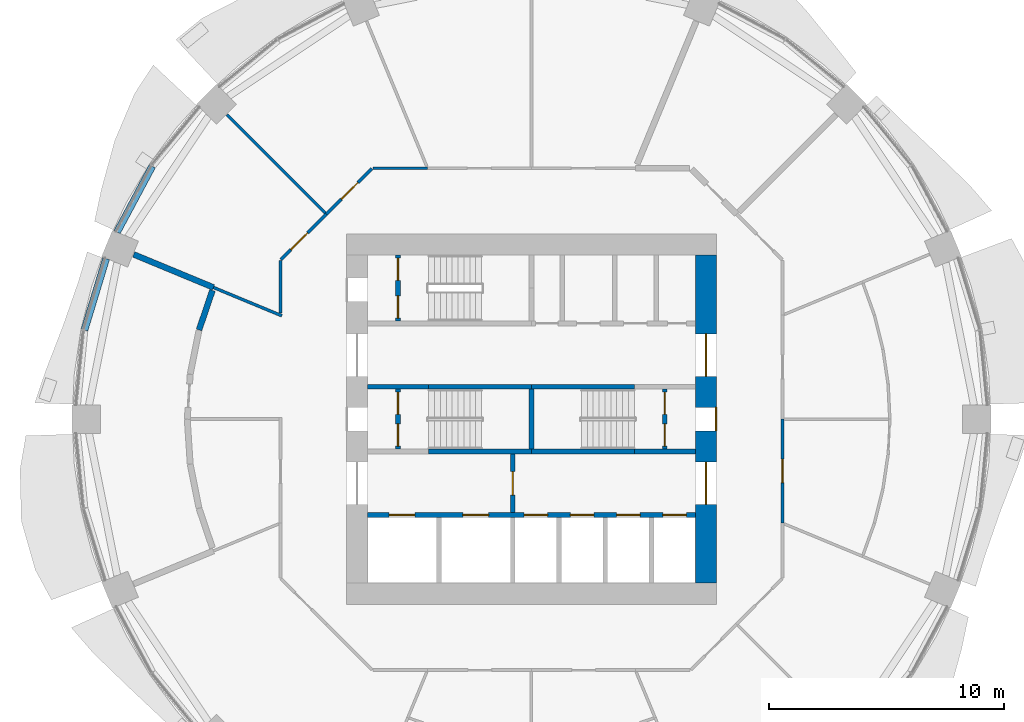
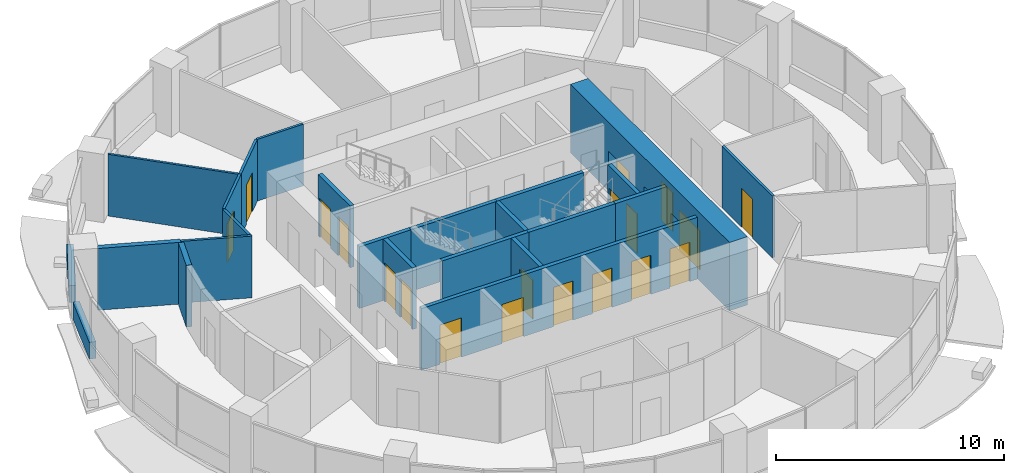
# One storey, part 9 of 15: 24 walls, 19 doors, 19 openings.
"""IFC4 building model written with IfcOpenShell, lengths in metres."""

from ifc_helpers import new_model, si_unit, direction, frame, frame_2d, origin, place, context, subcontext, project, spatial, rectangle, extrude, material, layer, layer_set, type_object, element, fill, save


model = new_model("IFC4")

# Units and contexts
model_context = context("Model", 3, precision=1e-05, world=origin(), true_north=direction((0.0, 1.0)))
body_context = subcontext(model_context, "Body", "Model", "MODEL_VIEW")
ifc_project = project(units=[si_unit("LENGTHUNIT", "METRE"), si_unit("AREAUNIT", "SQUARE_METRE"), si_unit("VOLUMEUNIT", "CUBIC_METRE"), si_unit("PLANEANGLEUNIT", "RADIAN"), si_unit("MASSUNIT", "GRAM", prefix="KILO")], contexts=[model_context])

# Site, building, storey
site_placement = place(None, origin())
site = spatial("IfcSite", under=ifc_project, at=site_placement, CompositionType="ELEMENT")
building_placement = place(site_placement, origin())
building = spatial("IfcBuilding", under=site, at=building_placement, Name="Polderwave Tower", CompositionType="ELEMENT")
storey_placement = place(building_placement, frame((0.0, 0.0, 59.050048828125)))
storey = spatial("IfcBuildingStorey", under=building, at=storey_placement, Name="L15", CompositionType="ELEMENT", Elevation=59.050048828125)

# Wall, openings, doors
ifc_material_1 = material(Name="Concrete C80/95", Category="concrete")
ifc_layer_1 = layer(ifc_material_1, 0.89990234375)
ifc_layer_set_1 = layer_set([ifc_layer_1], Name="CORE WALL 900 C80/95")
wall_type_1 = type_object("IfcWallType", Name="CORE WALL 900 C80/95", PredefinedType="SHEAR", material=ifc_layer_set_1)
wall_1_placement = place(storey_placement, frame((7.424072265625, -6.97412109375, 0.0), z_axis=(0.0, 0.0, 1.0), x_axis=(0.0, 1.0, 0.0)))
wall_1 = element("IfcWall", 1, at=wall_1_placement, inside=storey, type_object=wall_type_1, Name="ST-CORE-L15-E", PredefinedType="SHEAR", context=body_context, shape_type="SweptSolid", body=[
    extrude(rectangle(XDim=13.9482421875, YDim=0.89990234375, at=frame_2d((6.97412109375, 0.0))), origin(), (0.0, 0.0, 1.0), 3.64990234375),
])
opening_1_placement = place(wall_1_placement, frame((6.47412109375, 0.0, 0.0)))
opening_1 = element("IfcOpeningElement", 2, at=opening_1_placement, cuts=wall_1, Name="Opening L15-D22", PredefinedType="OPENING", context=body_context, shape_type="SweptSolid", body=[
    extrude(rectangle(XDim=1.0, YDim=2.10009765625, at=frame_2d((0.5, 1.050048828125))), frame((0.0, 0.4599609375, 0.0), z_axis=(0.0, -1.0, 0.0), x_axis=(1.0, 0.0, 0.0)), (0.0, 0.0, 1.0), 0.919921875),
])
opening_2_placement = place(wall_1_placement, frame((3.349609375, 0.0, 0.0)))
opening_2 = element("IfcOpeningElement", 3, at=opening_2_placement, cuts=wall_1, Name="Opening L15-D23", PredefinedType="OPENING", context=body_context, shape_type="SweptSolid", body=[
    extrude(rectangle(XDim=1.800048828125, YDim=2.10009765625, at=frame_2d((0.89990234375, 1.050048828125))), frame((0.0, 0.4599609375, 0.0), z_axis=(0.0, -1.0, 0.0), x_axis=(1.0, 0.0, 0.0)), (0.0, 0.0, 1.0), 0.919921875),
])
opening_3_placement = place(wall_1_placement, frame((8.798583984375, 0.0, 0.0)))
opening_3 = element("IfcOpeningElement", 4, at=opening_3_placement, cuts=wall_1, Name="Opening L15-D24", PredefinedType="OPENING", context=body_context, shape_type="SweptSolid", body=[
    extrude(rectangle(XDim=1.800048828125, YDim=2.10009765625, at=frame_2d((0.89990234375, 1.050048828125))), frame((0.0, 0.4599609375, 0.0), z_axis=(0.0, -1.0, 0.0), x_axis=(1.0, 0.0, 0.0)), (0.0, 0.0, 1.0), 0.919921875),
])
ifc_material_2 = material(Name="Steel fire door", Category="steel")
door_type_1 = type_object("IfcDoorType", Name="Lobby entry door pair 1800", OperationType="DOUBLE_DOOR_SINGLE_SWING", PredefinedType="DOOR", material=ifc_material_2)
door_1_placement = place(opening_2_placement, frame((1.800048828125, 0.0, 0.0), z_axis=(0.0, 0.0, 1.0), x_axis=(-1.0, 0.0, 0.0)))
door_1 = element("IfcDoor", 5, at=door_1_placement, inside=storey, type_object=door_type_1, Name="South lobby entry door", OperationType="DOUBLE_DOOR_SINGLE_SWING", OverallHeight=2.10009765625, OverallWidth=1.800048828125, PredefinedType="DOOR", context=body_context, shape_type="SweptSolid", body=[
    extrude(rectangle(XDim=1.800048828125, YDim=2.10009765625, at=frame_2d((0.89990234375, 1.050048828125))), frame((0.0, 0.02490234375, 0.0), z_axis=(0.0, -1.0, 0.0), x_axis=(1.0, 0.0, 0.0)), (0.0, 0.0, 1.0), 0.050048828125),
])
fill(opening_2, door_1)
door_2_placement = place(opening_3_placement, frame((1.800048828125, 0.0, 0.0), z_axis=(0.0, 0.0, 1.0), x_axis=(-1.0, 0.0, 0.0)))
door_2 = element("IfcDoor", 6, at=door_2_placement, inside=storey, type_object=door_type_1, Name="North lobby entry door", OperationType="DOUBLE_DOOR_SINGLE_SWING", OverallHeight=2.10009765625, OverallWidth=1.800048828125, PredefinedType="DOOR", context=body_context, shape_type="SweptSolid", body=[
    extrude(rectangle(XDim=1.800048828125, YDim=2.10009765625, at=frame_2d((0.89990234375, 1.050048828125))), frame((0.0, 0.02490234375, 0.0), z_axis=(0.0, -1.0, 0.0), x_axis=(1.0, 0.0, 0.0)), (0.0, 0.0, 1.0), 0.050048828125),
])
fill(opening_3, door_2)
door_type_2 = type_object("IfcDoorType", Name="Stair door 1000", OperationType="NOTDEFINED", PredefinedType="DOOR", material=ifc_material_2)
door_3_placement = place(opening_1_placement, frame((1.0, 0.0, 0.0), z_axis=(0.0, 0.0, 1.0), x_axis=(-1.0, 0.0, 0.0)))
door_3 = element("IfcDoor", 7, at=door_3_placement, inside=storey, type_object=door_type_2, Name="Stair B entry door", OperationType="SINGLE_SWING_LEFT", OverallHeight=2.10009765625, OverallWidth=1.0, PredefinedType="DOOR", context=body_context, shape_type="SweptSolid", body=[
    extrude(rectangle(XDim=1.0, YDim=2.10009765625, at=frame_2d((0.5, 1.050048828125))), frame((0.0, 0.4501953125, 0.0), z_axis=(0.0, -1.0, 0.0), x_axis=(1.0, 0.0, 0.0)), (0.0, 0.0, 1.0), 0.050048828125),
])
fill(opening_1, door_3)

# Walls
ifc_material_3 = material(Name="Concrete C50/60 (board-marked)", Category="concrete")
ifc_layer_2 = layer(ifc_material_3, 0.300048828125)
ifc_layer_set_2 = layer_set([ifc_layer_2], Name="Concrete spandrel upstand C50/60")
wall_type_2 = type_object("IfcWallType", Name="Concrete spandrel upstand C50/60", PredefinedType="SOLIDWALL", material=ifc_layer_set_2)
wall_2_placement = place(storey_placement, frame((-16.129150390625, 10.7587890625, 0.0), z_axis=(0.0, 0.0, 1.0), x_axis=(-0.47123575379, -0.882007292685, 0.0)))
element("IfcWall", 8, at=wall_2_placement, inside=storey, type_object=wall_type_2, Name="Spandrel L15 7b", PredefinedType="SOLIDWALL", context=body_context, shape_type="SweptSolid", body=[
    extrude(rectangle(XDim=3.169677734375, YDim=0.300048828125, at=frame_2d((1.5849609375, 0.0))), origin(), (0.0, 0.0, 1.0), 0.89990234375),
])
wall_3_placement = place(storey_placement, frame((-18.09228515625, 6.82958984375, 0.0), z_axis=(0.0, 0.0, 1.0), x_axis=(-0.290456409527, -0.956888224489, 0.0)))
element("IfcWall", 9, at=wall_3_placement, inside=storey, type_object=wall_type_2, Name="Spandrel L15 8a", PredefinedType="SOLIDWALL", context=body_context, shape_type="SweptSolid", body=[
    extrude(rectangle(XDim=3.1689453125, YDim=0.300048828125, at=frame_2d((1.58447265625, 0.0))), origin(), (0.0, 0.0, 1.0), 0.89990234375),
])

# Wall, opening, door
ifc_material_4 = material(Name="Gypsum board partition")
ifc_layer_3 = layer(ifc_material_4, 0.199951171875)
ifc_layer_set_3 = layer_set([ifc_layer_3], Name="Core room partition 200")
wall_type_3 = type_object("IfcWallType", Name="Core room partition 200", PredefinedType="PARTITIONING", material=ifc_layer_set_3)
wall_4_placement = place(storey_placement, frame((-0.800048828125, -3.97412109375, 0.0), z_axis=(0.0, 0.0, 1.0), x_axis=(0.0, 1.0, 0.0)))
wall_4 = element("IfcWall", 10, at=wall_4_placement, inside=storey, type_object=wall_type_3, Name="L15 fire-fighting lobby wall", PredefinedType="PARTITIONING", context=body_context, shape_type="SweptSolid", body=[
    extrude(rectangle(XDim=2.4990234375, YDim=0.199951171875, at=frame_2d((1.24951171875, 0.0))), origin(), (0.0, 0.0, 1.0), 3.300048828125),
])
opening_4_placement = place(wall_4_placement, frame((0.74951171875, 0.0, 0.0)))
opening_4 = element("IfcOpeningElement", 11, at=opening_4_placement, cuts=wall_4, Name="Opening L15-D13", PredefinedType="OPENING", context=body_context, shape_type="SweptSolid", body=[
    extrude(rectangle(XDim=1.0, YDim=2.10009765625, at=frame_2d((0.5, 1.050048828125))), frame((0.0, 0.10986328125, 0.0), z_axis=(0.0, -1.0, 0.0), x_axis=(1.0, 0.0, 0.0)), (0.0, 0.0, 1.0), 0.219970703125),
])
door_type_3 = type_object("IfcDoorType", Name="Lobby fire door 1000", OperationType="NOTDEFINED", PredefinedType="DOOR", material=ifc_material_2)
door_4_placement = place(opening_4_placement, frame((1.0, 0.0, 0.0), z_axis=(0.0, 0.0, 1.0), x_axis=(-1.0, 0.0, 0.0)))
door_4 = element("IfcDoor", 12, at=door_4_placement, inside=storey, type_object=door_type_3, Name="Fire-fighting lobby door", OperationType="SINGLE_SWING_LEFT", OverallHeight=2.10009765625, OverallWidth=1.0, PredefinedType="DOOR", context=body_context, shape_type="SweptSolid", body=[
    extrude(rectangle(XDim=1.0, YDim=2.10009765625, at=frame_2d((0.5, 1.050048828125))), frame((0.0, 0.02490234375, 0.0), z_axis=(0.0, -1.0, 0.0), x_axis=(1.0, 0.0, 0.0)), (0.0, 0.0, 1.0), 0.050048828125),
])
fill(opening_4, door_4)

# Wall, openings, doors
wall_5_placement = place(storey_placement, frame((-5.674072265625, -1.27490234375, 0.0), z_axis=(0.0, 0.0, 1.0), x_axis=(0.0, 1.0, 0.0)))
wall_5 = element("IfcWall", 13, at=wall_5_placement, inside=storey, type_object=wall_type_3, Name="L15 smoke lobby wall A", PredefinedType="PARTITIONING", context=body_context, shape_type="SweptSolid", body=[
    extrude(rectangle(XDim=2.5498046875, YDim=0.199951171875, at=frame_2d((1.27490234375, 0.0))), origin(), (0.0, 0.0, 1.0), 3.300048828125),
])
opening_5_placement = place(wall_5_placement, frame((0.125, 0.0, 0.0)))
opening_5 = element("IfcOpeningElement", 14, at=opening_5_placement, cuts=wall_5, Name="Opening L15-D07", PredefinedType="OPENING", context=body_context, shape_type="SweptSolid", body=[
    extrude(rectangle(XDim=0.949951171875, YDim=2.10009765625, at=frame_2d((0.47509765625, 1.050048828125))), frame((0.0, 0.10986328125, 0.0), z_axis=(0.0, -1.0, 0.0), x_axis=(1.0, 0.0, 0.0)), (0.0, 0.0, 1.0), 0.219970703125),
])
opening_6_placement = place(wall_5_placement, frame((1.47509765625, 0.0, 0.0)))
opening_6 = element("IfcOpeningElement", 15, at=opening_6_placement, cuts=wall_5, Name="Opening L15-D08", PredefinedType="OPENING", context=body_context, shape_type="SweptSolid", body=[
    extrude(rectangle(XDim=0.949951171875, YDim=2.10009765625, at=frame_2d((0.47509765625, 1.050048828125))), frame((0.0, 0.10986328125, 0.0), z_axis=(0.0, -1.0, 0.0), x_axis=(1.0, 0.0, 0.0)), (0.0, 0.0, 1.0), 0.219970703125),
])
door_type_4 = type_object("IfcDoorType", Name="Smoke lobby door 950", OperationType="NOTDEFINED", PredefinedType="DOOR", material=ifc_material_2)
door_5_placement = place(opening_5_placement, origin())
door_5 = element("IfcDoor", 16, at=door_5_placement, inside=storey, type_object=door_type_4, Name="Stair A smoke lobby inner door", OperationType="SINGLE_SWING_LEFT", OverallHeight=2.10009765625, OverallWidth=0.949951171875, PredefinedType="DOOR", context=body_context, shape_type="SweptSolid", body=[
    extrude(rectangle(XDim=0.949951171875, YDim=2.10009765625, at=frame_2d((0.47509765625, 1.050048828125))), frame((0.0, 0.02490234375, 0.0), z_axis=(0.0, -1.0, 0.0), x_axis=(1.0, 0.0, 0.0)), (0.0, 0.0, 1.0), 0.050048828125),
])
fill(opening_5, door_5)
door_6_placement = place(opening_6_placement, origin())
door_6 = element("IfcDoor", 17, at=door_6_placement, inside=storey, type_object=door_type_4, Name="Stair A smoke lobby inner door", OperationType="SINGLE_SWING_RIGHT", OverallHeight=2.10009765625, OverallWidth=0.949951171875, PredefinedType="DOOR", context=body_context, shape_type="SweptSolid", body=[
    extrude(rectangle(XDim=0.949951171875, YDim=2.10009765625, at=frame_2d((0.47509765625, 1.050048828125))), frame((0.0, 0.02490234375, 0.0), z_axis=(0.0, -1.0, 0.0), x_axis=(1.0, 0.0, 0.0)), (0.0, 0.0, 1.0), 0.050048828125),
])
fill(opening_6, door_6)

wall_6_placement = place(storey_placement, frame((5.674072265625, -1.27490234375, 0.0), z_axis=(0.0, 0.0, 1.0), x_axis=(0.0, 1.0, 0.0)))
wall_6 = element("IfcWall", 18, at=wall_6_placement, inside=storey, type_object=wall_type_3, Name="L15 smoke lobby wall B", PredefinedType="PARTITIONING", context=body_context, shape_type="SweptSolid", body=[
    extrude(rectangle(XDim=2.5498046875, YDim=0.199951171875, at=frame_2d((1.27490234375, 0.0))), origin(), (0.0, 0.0, 1.0), 3.300048828125),
])
opening_7_placement = place(wall_6_placement, frame((0.125, 0.0, 0.0)))
opening_7 = element("IfcOpeningElement", 19, at=opening_7_placement, cuts=wall_6, Name="Opening L15-D09", PredefinedType="OPENING", context=body_context, shape_type="SweptSolid", body=[
    extrude(rectangle(XDim=0.949951171875, YDim=2.10009765625, at=frame_2d((0.47509765625, 1.050048828125))), frame((0.0, 0.10986328125, 0.0), z_axis=(0.0, -1.0, 0.0), x_axis=(1.0, 0.0, 0.0)), (0.0, 0.0, 1.0), 0.219970703125),
])
opening_8_placement = place(wall_6_placement, frame((1.47509765625, 0.0, 0.0)))
opening_8 = element("IfcOpeningElement", 20, at=opening_8_placement, cuts=wall_6, Name="Opening L15-D10", PredefinedType="OPENING", context=body_context, shape_type="SweptSolid", body=[
    extrude(rectangle(XDim=0.949951171875, YDim=2.10009765625, at=frame_2d((0.47509765625, 1.050048828125))), frame((0.0, 0.10986328125, 0.0), z_axis=(0.0, -1.0, 0.0), x_axis=(1.0, 0.0, 0.0)), (0.0, 0.0, 1.0), 0.219970703125),
])
door_7_placement = place(opening_7_placement, frame((0.949951171875, 0.0, 0.0), z_axis=(0.0, 0.0, 1.0), x_axis=(-1.0, 0.0, 0.0)))
door_7 = element("IfcDoor", 21, at=door_7_placement, inside=storey, type_object=door_type_4, Name="Stair B smoke lobby inner door", OperationType="SINGLE_SWING_RIGHT", OverallHeight=2.10009765625, OverallWidth=0.949951171875, PredefinedType="DOOR", context=body_context, shape_type="SweptSolid", body=[
    extrude(rectangle(XDim=0.949951171875, YDim=2.10009765625, at=frame_2d((0.47509765625, 1.050048828125))), frame((0.0, 0.02490234375, 0.0), z_axis=(0.0, -1.0, 0.0), x_axis=(1.0, 0.0, 0.0)), (0.0, 0.0, 1.0), 0.050048828125),
])
fill(opening_7, door_7)
door_8_placement = place(opening_8_placement, frame((0.949951171875, 0.0, 0.0), z_axis=(0.0, 0.0, 1.0), x_axis=(-1.0, 0.0, 0.0)))
door_8 = element("IfcDoor", 22, at=door_8_placement, inside=storey, type_object=door_type_4, Name="Stair B smoke lobby inner door", OperationType="SINGLE_SWING_LEFT", OverallHeight=2.10009765625, OverallWidth=0.949951171875, PredefinedType="DOOR", context=body_context, shape_type="SweptSolid", body=[
    extrude(rectangle(XDim=0.949951171875, YDim=2.10009765625, at=frame_2d((0.47509765625, 1.050048828125))), frame((0.0, 0.02490234375, 0.0), z_axis=(0.0, -1.0, 0.0), x_axis=(1.0, 0.0, 0.0)), (0.0, 0.0, 1.0), 0.050048828125),
])
fill(opening_8, door_8)

wall_7_placement = place(storey_placement, frame((-5.674072265625, 4.174072265625, 0.0), z_axis=(0.0, 0.0, 1.0), x_axis=(0.0, 1.0, 0.0)))
wall_7 = element("IfcWall", 23, at=wall_7_placement, inside=storey, type_object=wall_type_3, Name="L15 smoke lobby wall C", PredefinedType="PARTITIONING", context=body_context, shape_type="SweptSolid", body=[
    extrude(rectangle(XDim=2.800048828125, YDim=0.199951171875, at=frame_2d((1.39990234375, 0.0))), origin(), (0.0, 0.0, 1.0), 3.300048828125),
])
opening_9_placement = place(wall_7_placement, frame((0.125, 0.0, 0.0)))
opening_9 = element("IfcOpeningElement", 24, at=opening_9_placement, cuts=wall_7, Name="Opening L15-D11", PredefinedType="OPENING", context=body_context, shape_type="SweptSolid", body=[
    extrude(rectangle(XDim=0.949951171875, YDim=2.10009765625, at=frame_2d((0.47509765625, 1.050048828125))), frame((0.0, 0.10986328125, 0.0), z_axis=(0.0, -1.0, 0.0), x_axis=(1.0, 0.0, 0.0)), (0.0, 0.0, 1.0), 0.219970703125),
])
opening_10_placement = place(wall_7_placement, frame((1.72509765625, 0.0, 0.0)))
opening_10 = element("IfcOpeningElement", 25, at=opening_10_placement, cuts=wall_7, Name="Opening L15-D12", PredefinedType="OPENING", context=body_context, shape_type="SweptSolid", body=[
    extrude(rectangle(XDim=0.949951171875, YDim=2.10009765625, at=frame_2d((0.47509765625, 1.050048828125))), frame((0.0, 0.10986328125, 0.0), z_axis=(0.0, -1.0, 0.0), x_axis=(1.0, 0.0, 0.0)), (0.0, 0.0, 1.0), 0.219970703125),
])
door_9_placement = place(opening_9_placement, origin())
door_9 = element("IfcDoor", 26, at=door_9_placement, inside=storey, type_object=door_type_4, Name="Stair C smoke lobby inner door", OperationType="SINGLE_SWING_LEFT", OverallHeight=2.10009765625, OverallWidth=0.949951171875, PredefinedType="DOOR", context=body_context, shape_type="SweptSolid", body=[
    extrude(rectangle(XDim=0.949951171875, YDim=2.10009765625, at=frame_2d((0.47509765625, 1.050048828125))), frame((0.0, 0.02490234375, 0.0), z_axis=(0.0, -1.0, 0.0), x_axis=(1.0, 0.0, 0.0)), (0.0, 0.0, 1.0), 0.050048828125),
])
fill(opening_9, door_9)
door_10_placement = place(opening_10_placement, origin())
door_10 = element("IfcDoor", 27, at=door_10_placement, inside=storey, type_object=door_type_4, Name="Stair C smoke lobby inner door", OperationType="SINGLE_SWING_RIGHT", OverallHeight=2.10009765625, OverallWidth=0.949951171875, PredefinedType="DOOR", context=body_context, shape_type="SweptSolid", body=[
    extrude(rectangle(XDim=0.949951171875, YDim=2.10009765625, at=frame_2d((0.47509765625, 1.050048828125))), frame((0.0, 0.02490234375, 0.0), z_axis=(0.0, -1.0, 0.0), x_axis=(1.0, 0.0, 0.0)), (0.0, 0.0, 1.0), 0.050048828125),
])
fill(opening_10, door_10)

ifc_material_5 = material(Name="Concrete C50/60", Category="concrete")
ifc_layer_4 = layer(ifc_material_5, 0.199951171875)
ifc_layer_set_4 = layer_set([ifc_layer_4], Name="Core web wall 200")
wall_type_4 = type_object("IfcWallType", Name="Core web wall 200", PredefinedType="SHEAR", material=ifc_layer_set_4)
wall_8_placement = place(storey_placement, frame((-6.97412109375, -4.073974609375, 0.0), z_axis=(0.0, 0.0, 1.0), x_axis=(1.0, 0.0, 0.0)))
wall_8 = element("IfcWall", 28, at=wall_8_placement, inside=storey, type_object=wall_type_4, Name="L15 south front wall", PredefinedType="SHEAR", context=body_context, shape_type="SweptSolid", body=[
    extrude(rectangle(XDim=13.9482421875, YDim=0.199951171875, at=frame_2d((6.97412109375, 0.0))), origin(), (0.0, 0.0, 1.0), 3.300048828125),
])
opening_11_placement = place(wall_8_placement, frame((0.91845703125, 0.0, 0.0)))
opening_11 = element("IfcOpeningElement", 29, at=opening_11_placement, cuts=wall_8, Name="Opening L15-D01", PredefinedType="OPENING", context=body_context, shape_type="SweptSolid", body=[
    extrude(rectangle(XDim=1.10009765625, YDim=2.10009765625, at=frame_2d((0.550048828125, 1.050048828125))), frame((0.0, 0.10986328125, 0.0), z_axis=(0.0, -1.0, 0.0), x_axis=(1.0, 0.0, 0.0)), (0.0, 0.0, 1.0), 0.219970703125),
])
opening_12_placement = place(wall_8_placement, frame((4.055419921875, 0.0, 0.0)))
opening_12 = element("IfcOpeningElement", 30, at=opening_12_placement, cuts=wall_8, Name="Opening L15-D02", PredefinedType="OPENING", context=body_context, shape_type="SweptSolid", body=[
    extrude(rectangle(XDim=1.10009765625, YDim=2.10009765625, at=frame_2d((0.550048828125, 1.050048828125))), frame((0.0, 0.10986328125, 0.0), z_axis=(0.0, -1.0, 0.0), x_axis=(1.0, 0.0, 0.0)), (0.0, 0.0, 1.0), 0.219970703125),
])
opening_13_placement = place(wall_8_placement, frame((6.658203125, 0.0, 0.0)))
opening_13 = element("IfcOpeningElement", 31, at=opening_13_placement, cuts=wall_8, Name="Opening L15-D03", PredefinedType="OPENING", context=body_context, shape_type="SweptSolid", body=[
    extrude(rectangle(XDim=1.0, YDim=2.10009765625, at=frame_2d((0.5, 1.050048828125))), frame((0.0, 0.10986328125, 0.0), z_axis=(0.0, -1.0, 0.0), x_axis=(1.0, 0.0, 0.0)), (0.0, 0.0, 1.0), 0.219970703125),
])
opening_14_placement = place(wall_8_placement, frame((8.626708984375, 0.0, 0.0)))
opening_14 = element("IfcOpeningElement", 32, at=opening_14_placement, cuts=wall_8, Name="Opening L15-D04", PredefinedType="OPENING", context=body_context, shape_type="SweptSolid", body=[
    extrude(rectangle(XDim=1.0, YDim=2.10009765625, at=frame_2d((0.5, 1.050048828125))), frame((0.0, 0.10986328125, 0.0), z_axis=(0.0, -1.0, 0.0), x_axis=(1.0, 0.0, 0.0)), (0.0, 0.0, 1.0), 0.219970703125),
])
opening_15_placement = place(wall_8_placement, frame((10.59521484375, 0.0, 0.0)))
opening_15 = element("IfcOpeningElement", 33, at=opening_15_placement, cuts=wall_8, Name="Opening L15-D05", PredefinedType="OPENING", context=body_context, shape_type="SweptSolid", body=[
    extrude(rectangle(XDim=1.0, YDim=2.10009765625, at=frame_2d((0.5, 1.050048828125))), frame((0.0, 0.10986328125, 0.0), z_axis=(0.0, -1.0, 0.0), x_axis=(1.0, 0.0, 0.0)), (0.0, 0.0, 1.0), 0.219970703125),
])
opening_16_placement = place(wall_8_placement, frame((12.563720703125, 0.0, 0.0)))
opening_16 = element("IfcOpeningElement", 34, at=opening_16_placement, cuts=wall_8, Name="Opening L15-D06", PredefinedType="OPENING", context=body_context, shape_type="SweptSolid", body=[
    extrude(rectangle(XDim=1.0, YDim=2.10009765625, at=frame_2d((0.5, 1.050048828125))), frame((0.0, 0.10986328125, 0.0), z_axis=(0.0, -1.0, 0.0), x_axis=(1.0, 0.0, 0.0)), (0.0, 0.0, 1.0), 0.219970703125),
])
ifc_material_6 = material(Name="Stainless steel", Category="steel")
door_type_5 = type_object("IfcDoorType", Name="Fire-fighting lift landing door 1100", OperationType="DOUBLE_DOOR_SLIDING", PredefinedType="DOOR", material=ifc_material_6)
door_11_placement = place(opening_11_placement, origin())
door_11 = element("IfcDoor", 35, at=door_11_placement, inside=storey, type_object=door_type_5, Name="Fire-fighting lift FF1 landing door", OperationType="DOUBLE_DOOR_SLIDING", OverallHeight=2.10009765625, OverallWidth=1.10009765625, PredefinedType="DOOR", context=body_context, shape_type="SweptSolid", body=[
    extrude(rectangle(XDim=1.10009765625, YDim=2.10009765625, at=frame_2d((0.550048828125, 1.050048828125))), frame((0.0, 0.02490234375, 0.0), z_axis=(0.0, -1.0, 0.0), x_axis=(1.0, 0.0, 0.0)), (0.0, 0.0, 1.0), 0.050048828125),
])
fill(opening_11, door_11)
door_12_placement = place(opening_12_placement, origin())
door_12 = element("IfcDoor", 36, at=door_12_placement, inside=storey, type_object=door_type_5, Name="Fire-fighting lift FF2 landing door", OperationType="DOUBLE_DOOR_SLIDING", OverallHeight=2.10009765625, OverallWidth=1.10009765625, PredefinedType="DOOR", context=body_context, shape_type="SweptSolid", body=[
    extrude(rectangle(XDim=1.10009765625, YDim=2.10009765625, at=frame_2d((0.550048828125, 1.050048828125))), frame((0.0, 0.02490234375, 0.0), z_axis=(0.0, -1.0, 0.0), x_axis=(1.0, 0.0, 0.0)), (0.0, 0.0, 1.0), 0.050048828125),
])
fill(opening_12, door_12)
door_type_6 = type_object("IfcDoorType", Name="Lift landing door 1000", OperationType="DOUBLE_DOOR_SLIDING", PredefinedType="DOOR", material=ifc_material_6)
door_13_placement = place(opening_13_placement, origin())
door_13 = element("IfcDoor", 37, at=door_13_placement, inside=storey, type_object=door_type_6, Name="Lift LL1 landing door", OperationType="DOUBLE_DOOR_SLIDING", OverallHeight=2.10009765625, OverallWidth=1.0, PredefinedType="DOOR", context=body_context, shape_type="SweptSolid", body=[
    extrude(rectangle(XDim=1.0, YDim=2.10009765625, at=frame_2d((0.5, 1.050048828125))), frame((0.0, 0.02490234375, 0.0), z_axis=(0.0, -1.0, 0.0), x_axis=(1.0, 0.0, 0.0)), (0.0, 0.0, 1.0), 0.050048828125),
])
fill(opening_13, door_13)
door_14_placement = place(opening_14_placement, origin())
door_14 = element("IfcDoor", 38, at=door_14_placement, inside=storey, type_object=door_type_6, Name="Lift LL2 landing door", OperationType="DOUBLE_DOOR_SLIDING", OverallHeight=2.10009765625, OverallWidth=1.0, PredefinedType="DOOR", context=body_context, shape_type="SweptSolid", body=[
    extrude(rectangle(XDim=1.0, YDim=2.10009765625, at=frame_2d((0.5, 1.050048828125))), frame((0.0, 0.02490234375, 0.0), z_axis=(0.0, -1.0, 0.0), x_axis=(1.0, 0.0, 0.0)), (0.0, 0.0, 1.0), 0.050048828125),
])
fill(opening_14, door_14)
door_15_placement = place(opening_15_placement, origin())
door_15 = element("IfcDoor", 39, at=door_15_placement, inside=storey, type_object=door_type_6, Name="Lift LL3 landing door", OperationType="DOUBLE_DOOR_SLIDING", OverallHeight=2.10009765625, OverallWidth=1.0, PredefinedType="DOOR", context=body_context, shape_type="SweptSolid", body=[
    extrude(rectangle(XDim=1.0, YDim=2.10009765625, at=frame_2d((0.5, 1.050048828125))), frame((0.0, 0.02490234375, 0.0), z_axis=(0.0, -1.0, 0.0), x_axis=(1.0, 0.0, 0.0)), (0.0, 0.0, 1.0), 0.050048828125),
])
fill(opening_15, door_15)
door_16_placement = place(opening_16_placement, origin())
door_16 = element("IfcDoor", 40, at=door_16_placement, inside=storey, type_object=door_type_6, Name="Lift LL4 landing door", OperationType="DOUBLE_DOOR_SLIDING", OverallHeight=2.10009765625, OverallWidth=1.0, PredefinedType="DOOR", context=body_context, shape_type="SweptSolid", body=[
    extrude(rectangle(XDim=1.0, YDim=2.10009765625, at=frame_2d((0.5, 1.050048828125))), frame((0.0, 0.02490234375, 0.0), z_axis=(0.0, -1.0, 0.0), x_axis=(1.0, 0.0, 0.0)), (0.0, 0.0, 1.0), 0.050048828125),
])
fill(opening_16, door_16)

# Walls
for number, where, z_axis, x_axis, name in (
    (41, (-4.3740234375, -1.375, 0.0), (0.0, 0.0, 1.0), (1.0, 0.0, 0.0), "L15 south stair wall 2"),
    (42, (0.0, -1.375, 0.0), (0.0, 0.0, 1.0), (1.0, 0.0, 0.0), "L15 south stair wall 3"),
):
    element("IfcWall", number, at=place(storey_placement, frame(where, z_axis=z_axis, x_axis=x_axis)), inside=storey, type_object=wall_type_4, Name=name, PredefinedType="SHEAR", context=body_context, shape_type="SweptSolid", body=[
        extrude(rectangle(XDim=4.3740234375, YDim=0.199951171875, at=frame_2d((2.18701171875, 0.0))), origin(), (0.0, 0.0, 1.0), 3.300048828125),
    ])
for number, where, z_axis, x_axis, name in (
    (43, (4.3740234375, -1.375, 0.0), (0.0, 0.0, 1.0), (1.0, 0.0, 0.0), "L15 south stair wall 4"),
    (44, (-6.97412109375, 1.375, 0.0), (0.0, 0.0, 1.0), (1.0, 0.0, 0.0), "L15 north stair wall 1"),
):
    element("IfcWall", number, at=place(storey_placement, frame(where, z_axis=z_axis, x_axis=x_axis)), inside=storey, type_object=wall_type_4, Name=name, PredefinedType="SHEAR", context=body_context, shape_type="SweptSolid", body=[
        extrude(rectangle(XDim=2.60009765625, YDim=0.199951171875, at=frame_2d((1.300048828125, 0.0))), origin(), (0.0, 0.0, 1.0), 3.300048828125),
    ])
for number, where, z_axis, x_axis, name in (
    (45, (-4.3740234375, 1.375, 0.0), (0.0, 0.0, 1.0), (1.0, 0.0, 0.0), "L15 north stair wall 2"),
    (46, (0.0, 1.375, 0.0), (0.0, 0.0, 1.0), (1.0, 0.0, 0.0), "L15 north stair wall 3"),
):
    element("IfcWall", number, at=place(storey_placement, frame(where, z_axis=z_axis, x_axis=x_axis)), inside=storey, type_object=wall_type_4, Name=name, PredefinedType="SHEAR", context=body_context, shape_type="SweptSolid", body=[
        extrude(rectangle(XDim=4.3740234375, YDim=0.199951171875, at=frame_2d((2.18701171875, 0.0))), origin(), (0.0, 0.0, 1.0), 3.300048828125),
    ])
wall_9_placement = place(storey_placement, frame((0.0, -1.27490234375, 0.0), z_axis=(0.0, 0.0, 1.0), x_axis=(0.0, 1.0, 0.0)))
element("IfcWall", 47, at=wall_9_placement, inside=storey, type_object=wall_type_4, Name="L15 wall between the stairs", PredefinedType="SHEAR", context=body_context, shape_type="SweptSolid", body=[
    extrude(rectangle(XDim=2.5498046875, YDim=0.199951171875, at=frame_2d((1.27490234375, 0.0))), origin(), (0.0, 0.0, 1.0), 3.300048828125),
])

# Wall, opening, door
ifc_material_7 = material(Name="Fire-resisting board on steel studs", Category="steel")
ifc_layer_5 = layer(ifc_material_7, 0.125)
ifc_layer_set_5 = layer_set([ifc_layer_5], Name="Corridor wall 125 mm EI 60")
wall_type_5 = type_object("IfcWallType", Name="Corridor wall 125 mm EI 60", PredefinedType="PARTITIONING", material=ifc_layer_set_5)
wall_10_placement = place(storey_placement, frame((10.674072265625, 0.0, 0.0), z_axis=(0.0, 0.0, 1.0), x_axis=(0.0, -1.0, 0.0)))
wall_10 = element("IfcWall", 48, at=wall_10_placement, inside=storey, type_object=wall_type_5, Name="IN-L15-W006", PredefinedType="PARTITIONING", context=body_context, shape_type="SweptSolid", body=[
    extrude(rectangle(XDim=4.42138671875, YDim=0.125, at=frame_2d((2.210693359375, 0.0))), origin(), (0.0, 0.0, 1.0), 3.300048828125),
])
opening_17_placement = place(wall_10_placement, frame((1.699951171875, 0.0, 0.0)))
opening_17 = element("IfcOpeningElement", 49, at=opening_17_placement, cuts=wall_10, Name="Opening L15-D53", PredefinedType="OPENING", context=body_context, shape_type="SweptSolid", body=[
    extrude(rectangle(XDim=1.0, YDim=2.10009765625, at=frame_2d((0.5, 1.050048828125))), frame((0.0, 0.072509765625, 0.0), z_axis=(0.0, -1.0, 0.0), x_axis=(1.0, 0.0, 0.0)), (0.0, 0.0, 1.0), 0.14501953125),
])
ifc_material_8 = material(Name="Timber fire door leaf", Category="wood")
door_type_7 = type_object("IfcDoorType", Name="Fire door FD30S 1000 x 2100", OperationType="NOTDEFINED", PredefinedType="DOOR", material=ifc_material_8)
door_17_placement = place(opening_17_placement, origin())
door_17 = element("IfcDoor", 50, at=door_17_placement, inside=storey, type_object=door_type_7, Name="Door L15-D53", OperationType="SINGLE_SWING_LEFT", OverallHeight=2.10009765625, OverallWidth=1.0, PredefinedType="DOOR", context=body_context, shape_type="SweptSolid", body=[
    extrude(rectangle(XDim=1.0, YDim=2.10009765625, at=frame_2d((0.5, 1.050048828125))), frame((0.0, 0.02490234375, 0.0), z_axis=(0.0, -1.0, 0.0), x_axis=(1.0, 0.0, 0.0)), (0.0, 0.0, 1.0), 0.050048828125),
])
fill(opening_17, door_17)

wall_11_placement = place(storey_placement, frame((-8.722412109375, 8.722412109375, 0.0), z_axis=(0.0, 0.0, 1.0), x_axis=(0.707062130741, 0.707151428813, 0.0)))
wall_11 = element("IfcWall", 51, at=wall_11_placement, inside=storey, type_object=wall_type_5, Name="IN-L15-W011", PredefinedType="PARTITIONING", context=body_context, shape_type="SweptSolid", body=[
    extrude(rectangle(XDim=2.73388671875, YDim=0.125, at=frame_2d((1.366943359375, 0.0))), origin(), (0.0, 0.0, 1.0), 3.300048828125),
])
opening_18_placement = place(wall_11_placement, frame((0.89990234375, 0.0, 0.0)))
opening_18 = element("IfcOpeningElement", 52, at=opening_18_placement, cuts=wall_11, Name="Opening L15-D57", PredefinedType="OPENING", context=body_context, shape_type="SweptSolid", body=[
    extrude(rectangle(XDim=1.0, YDim=2.10009765625, at=frame_2d((0.5, 1.050048828125))), frame((0.0, 0.072509765625, 0.0), z_axis=(0.0, -1.0, 0.0), x_axis=(1.0, 0.0, 0.0)), (0.0, 0.0, 1.0), 0.14501953125),
])
door_18_placement = place(opening_18_placement, origin())
door_18 = element("IfcDoor", 53, at=door_18_placement, inside=storey, type_object=door_type_7, Name="Door L15-D57", OperationType="SINGLE_SWING_RIGHT", OverallHeight=2.10009765625, OverallWidth=1.0, PredefinedType="DOOR", context=body_context, shape_type="SweptSolid", body=[
    extrude(rectangle(XDim=1.0, YDim=2.10009765625, at=frame_2d((0.5, 1.050048828125))), frame((0.0, 0.02490234375, 0.0), z_axis=(0.0, -1.0, 0.0), x_axis=(1.0, 0.0, 0.0)), (0.0, 0.0, 1.0), 0.050048828125),
])
fill(opening_18, door_18)

# Walls
wall_12_placement = place(storey_placement, frame((-6.7451171875, 10.674072265625, 0.0), z_axis=(0.0, 0.0, 1.0), x_axis=(1.0, 0.0, 0.0)))
element("IfcWall", 54, at=wall_12_placement, inside=storey, type_object=wall_type_5, Name="IN-L15-W012", PredefinedType="PARTITIONING", context=body_context, shape_type="SweptSolid", body=[
    extrude(rectangle(XDim=2.32373046875, YDim=0.125, at=frame_2d((1.161865234375, 0.0))), origin(), (0.0, 0.0, 1.0), 3.300048828125),
])
wall_13_placement = place(storey_placement, frame((-10.674072265625, 4.514892578125, 0.0), z_axis=(0.0, 0.0, 1.0), x_axis=(0.0, 1.0, 0.0)))
element("IfcWall", 55, at=wall_13_placement, inside=storey, type_object=wall_type_5, Name="IN-L15-W013", PredefinedType="PARTITIONING", context=body_context, shape_type="SweptSolid", body=[
    extrude(rectangle(XDim=2.230224609375, YDim=0.125, at=frame_2d((1.115234375, 0.0))), origin(), (0.0, 0.0, 1.0), 3.300048828125),
])

# Wall, opening, door
wall_14_placement = place(storey_placement, frame((-10.65576171875, 6.789306640625, 0.0), z_axis=(0.0, 0.0, 1.0), x_axis=(0.707151428813, 0.707062130741, 0.0)))
wall_14 = element("IfcWall", 56, at=wall_14_placement, inside=storey, type_object=wall_type_5, Name="IN-L15-W014", PredefinedType="PARTITIONING", context=body_context, shape_type="SweptSolid", body=[
    extrude(rectangle(XDim=2.73388671875, YDim=0.125, at=frame_2d((1.366943359375, 0.0))), origin(), (0.0, 0.0, 1.0), 3.300048828125),
])
opening_19_placement = place(wall_14_placement, frame((0.60009765625, 0.0, 0.0)))
opening_19 = element("IfcOpeningElement", 57, at=opening_19_placement, cuts=wall_14, Name="Opening L15-D58", PredefinedType="OPENING", context=body_context, shape_type="SweptSolid", body=[
    extrude(rectangle(XDim=1.0, YDim=2.10009765625, at=frame_2d((0.5, 1.050048828125))), frame((0.0, 0.072509765625, 0.0), z_axis=(0.0, -1.0, 0.0), x_axis=(1.0, 0.0, 0.0)), (0.0, 0.0, 1.0), 0.14501953125),
])
door_19_placement = place(opening_19_placement, origin())
door_19 = element("IfcDoor", 58, at=door_19_placement, inside=storey, type_object=door_type_7, Name="Door L15-D58", OperationType="SINGLE_SWING_LEFT", OverallHeight=2.10009765625, OverallWidth=1.0, PredefinedType="DOOR", context=body_context, shape_type="SweptSolid", body=[
    extrude(rectangle(XDim=1.0, YDim=2.10009765625, at=frame_2d((0.5, 1.050048828125))), frame((0.0, 0.02490234375, 0.0), z_axis=(0.0, -1.0, 0.0), x_axis=(1.0, 0.0, 0.0)), (0.0, 0.0, 1.0), 0.050048828125),
])
fill(opening_19, door_19)

# Walls
wall_15_placement = place(storey_placement, frame((-10.6162109375, 4.3974609375, 0.0), z_axis=(0.0, 0.0, 1.0), x_axis=(-0.923884549049, 0.382671321147, 0.0)))
element("IfcWall", 59, at=wall_15_placement, inside=storey, type_object=wall_type_5, Name="IN-L15-W041", PredefinedType="PARTITIONING", context=body_context, shape_type="SweptSolid", body=[
    extrude(rectangle(XDim=3.149169921875, YDim=0.125, at=frame_2d((1.57470703125, 0.0))), origin(), (0.0, 0.0, 1.0), 3.300048828125),
])
ifc_material_9 = material(Name="Acoustic double plasterboard on steel studs", Category="steel")
ifc_layer_6 = layer(ifc_material_9, 0.110107421875)
ifc_layer_set_6 = layer_set([ifc_layer_6], Name="Partition 110 mm acoustic double board")
wall_type_6 = type_object("IfcWallType", Name="Partition 110 mm acoustic double board", PredefinedType="PARTITIONING", material=ifc_layer_set_6)
wall_16_placement = place(storey_placement, frame((-8.7666015625, 8.7666015625, 0.0), z_axis=(0.0, 0.0, 1.0), x_axis=(-0.707106781187, 0.707106781187, 0.0)))
element("IfcWall", 60, at=wall_16_placement, inside=storey, type_object=wall_type_6, Name="IN-L15-W040", PredefinedType="PARTITIONING", context=body_context, shape_type="SweptSolid", body=[
    extrude(rectangle(XDim=5.912109375, YDim=0.110107421875, at=frame_2d((2.9560546875, 0.0))), origin(), (0.0, 0.0, 1.0), 3.300048828125),
])
ifc_material_10 = material(Name="Fire-resisting board on steel studs, mineral wool", Category="steel")
ifc_layer_7 = layer(ifc_material_10, 0.25)
ifc_layer_set_7 = layer_set([ifc_layer_7], Name="Plant room wall 250 mm EI 120")
wall_type_7 = type_object("IfcWallType", Name="Plant room wall 250 mm EI 120", PredefinedType="PARTITIONING", material=ifc_layer_set_7)
wall_17_placement = place(storey_placement, frame((-13.525634765625, 5.6025390625, 0.0), z_axis=(0.0, 0.0, 1.0), x_axis=(-0.923870076355, 0.382706260748, 0.0)))
element("IfcWall", 61, at=wall_17_placement, inside=storey, type_object=wall_type_7, Name="IN-L15-W042", PredefinedType="PARTITIONING", context=body_context, shape_type="SweptSolid", body=[
    extrude(rectangle(XDim=3.669921875, YDim=0.25, at=frame_2d((1.8349609375, 0.0))), origin(), (0.0, 0.0, 1.0), 3.300048828125),
])
wall_18_placement = place(storey_placement, frame((-14.138671875, 3.796875, 0.0), z_axis=(0.0, 0.0, 1.0), x_axis=(0.321468303742, 0.946920339674, 0.0)))
element("IfcWall", 62, at=wall_18_placement, inside=storey, type_object=wall_type_7, Name="IN-L15-W045", PredefinedType="PARTITIONING", context=body_context, shape_type="SweptSolid", body=[
    extrude(rectangle(XDim=1.7734375, YDim=0.25, at=frame_2d((0.88671875, 0.0))), origin(), (0.0, 0.0, 1.0), 3.300048828125),
])

save(model, "model.ifc")
